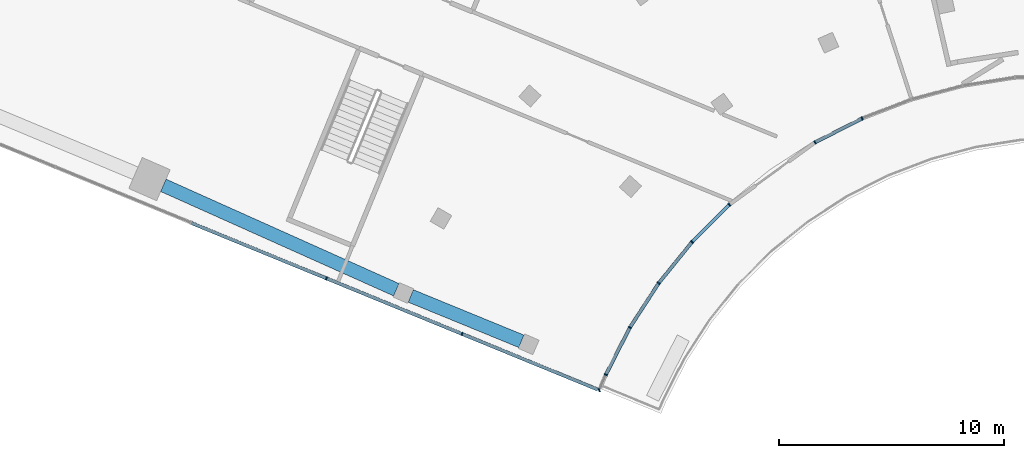
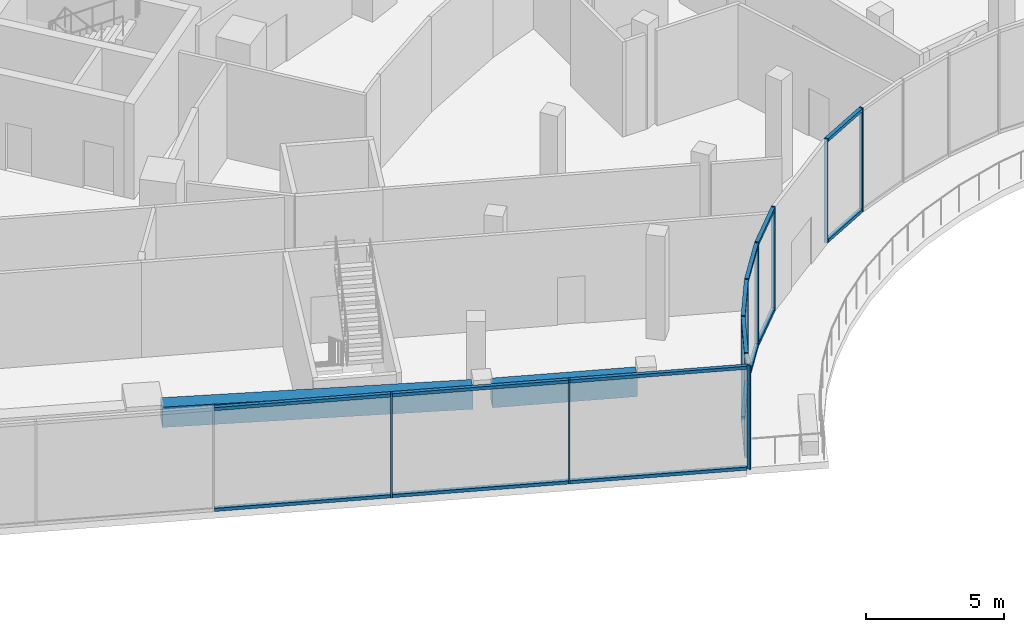
# One storey, part 4 of 40: 26 members, 2 beams, 2 elements without a shape of their own.
"""IFC4 building model written with IfcOpenShell, lengths in metres."""

from ifc_helpers import new_model, si_unit, direction, frame, origin, origin_2d, place, context, subcontext, project, spatial, rectangle, extrude, material, layer, layer_set, material_profile, profile_set, type_object, element, aggregate, save


model = new_model("IFC4")

# Units and contexts
model_context = context("Model", 3, precision=1e-05, world=origin(), true_north=direction((0.0, 1.0)))
body_context = subcontext(model_context, "Body", "Model", "MODEL_VIEW")
ifc_project = project(units=[si_unit("LENGTHUNIT", "METRE"), si_unit("AREAUNIT", "SQUARE_METRE"), si_unit("VOLUMEUNIT", "CUBIC_METRE"), si_unit("PLANEANGLEUNIT", "RADIAN"), si_unit("MASSUNIT", "GRAM", prefix="KILO")], contexts=[model_context])

# Site, building, storey
site_placement = place(None, origin())
site = spatial("IfcSite", under=ifc_project, at=site_placement, CompositionType="ELEMENT")
building_placement = place(site_placement, origin())
building = spatial("IfcBuilding", under=site, at=building_placement, Name="Stone Belt Terrace Tower", CompositionType="ELEMENT")
storey_placement = place(building_placement, frame((0.0, 0.0, 11.60009765625)))
storey = spatial("IfcBuildingStorey", under=building, at=storey_placement, Name="L02", CompositionType="ELEMENT", Elevation=11.60009765625)

# Curtain wall, members
ifc_material_1 = material(Name="Aluminium 6063-T6 anodised frame", Category="aluminium")
ifc_layer = layer(ifc_material_1, 0.14990234375)
ifc_layer_set = layer_set([ifc_layer], Name="CW-D podium shopfront")
curtain_wall_type = type_object("IfcCurtainWallType", Name="CW-D podium shopfront", PredefinedType="NOTDEFINED", material=ifc_layer_set)
curtain_wall_1_placement = place(storey_placement, origin())
curtain_wall_1 = element("IfcCurtainWall", 1, at=curtain_wall_1_placement, inside=storey, type_object=curtain_wall_type, Name="CW-D concave face L02", PredefinedType="NOTDEFINED")
ifc_material_profile_1 = material_profile(ifc_material_1, rectangle(XDim=0.14990234375, YDim=0.06005859375, at=origin_2d()), Name="Aluminium 6063-T6 60x150")
ifc_profile_set_1 = profile_set([ifc_material_profile_1], Name="Aluminium 6063-T6 anodised frame")
member_type_1 = type_object("IfcMemberType", Name="CW-D mullion 60 x 150", PredefinedType="MULLION", material=ifc_profile_set_1)
member_1_placement = place(storey_placement, frame((-20.779296875, 8.435546875, 0.0), z_axis=(0.0, 0.0, 1.0), x_axis=(-0.379212239192, 0.925309719849, 0.0)))
member_1 = element("IfcMember", 2, at=member_1_placement, type_object=member_type_1, Name="CW-D mullion 1", PredefinedType="MULLION", context=body_context, shape_type="SweptSolid", body=[
    extrude(rectangle(XDim=0.14990234375, YDim=0.06005859375, at=origin_2d()), origin(), (0.0, 0.0, 1.0), 4.599853515625),
])
member_2_placement = place(storey_placement, frame((-20.48681640625, 9.119873046875, 0.0), z_axis=(0.0, 0.0, 1.0), x_axis=(-0.905778201442, 0.423752108895, 0.0)))
member_2 = element("IfcMember", 3, at=member_2_placement, type_object=member_type_1, Name="CW-D mullion 2", PredefinedType="MULLION", context=body_context, shape_type="SweptSolid", body=[
    extrude(rectangle(XDim=0.14990234375, YDim=0.06005859375, at=origin_2d()), origin(), (0.0, 0.0, 1.0), 4.599853515625),
])
member_3_placement = place(storey_placement, frame((-19.42041015625, 11.21240234375, 0.0), z_axis=(0.0, 0.0, 1.0), x_axis=(-0.866025403784, 0.5, 0.0)))
member_3 = element("IfcMember", 4, at=member_3_placement, type_object=member_type_1, Name="CW-D mullion 3", PredefinedType="MULLION", context=body_context, shape_type="SweptSolid", body=[
    extrude(rectangle(XDim=0.14990234375, YDim=0.06005859375, at=origin_2d()), origin(), (0.0, 0.0, 1.0), 4.599853515625),
])
member_4_placement = place(storey_placement, frame((-18.14208984375, 13.180908203125, 0.0), z_axis=(0.0, 0.0, 1.0), x_axis=(-0.809016994375, 0.587785252292, 0.0)))
member_4 = element("IfcMember", 5, at=member_4_placement, type_object=member_type_1, Name="CW-D mullion 4", PredefinedType="MULLION", context=body_context, shape_type="SweptSolid", body=[
    extrude(rectangle(XDim=0.14990234375, YDim=0.06005859375, at=origin_2d()), origin(), (0.0, 0.0, 1.0), 4.599853515625),
])
member_5_placement = place(storey_placement, frame((-16.6650390625, 15.005126953125, 0.0), z_axis=(0.0, 0.0, 1.0), x_axis=(-0.743144825477, 0.669130606359, 0.0)))
member_5 = element("IfcMember", 6, at=member_5_placement, type_object=member_type_1, Name="CW-D mullion 5", PredefinedType="MULLION", context=body_context, shape_type="SweptSolid", body=[
    extrude(rectangle(XDim=0.14990234375, YDim=0.06005859375, at=origin_2d()), origin(), (0.0, 0.0, 1.0), 4.599853515625),
])
member_6_placement = place(storey_placement, frame((-15.006591796875, 16.66357421875, 0.0), z_axis=(0.0, 0.0, 1.0), x_axis=(-0.64944804833, 0.7604059656, 0.0)))
member_6 = element("IfcMember", 7, at=member_6_placement, type_object=member_type_1, Name="CW-D mullion 6", PredefinedType="MULLION", context=body_context, shape_type="SweptSolid", body=[
    extrude(rectangle(XDim=0.14990234375, YDim=0.06005859375, at=origin_2d()), origin(), (0.0, 0.0, 1.0), 4.599853515625),
])
member_7_placement = place(storey_placement, frame((-11.210693359375, 19.42138671875, 0.0), z_axis=(0.0, 0.0, 1.0), x_axis=(-0.522498564716, 0.852640164354, 0.0)))
member_7 = element("IfcMember", 8, at=member_7_placement, type_object=member_type_1, Name="CW-D mullion 7", PredefinedType="MULLION", context=body_context, shape_type="SweptSolid", body=[
    extrude(rectangle(XDim=0.14990234375, YDim=0.06005859375, at=origin_2d()), origin(), (0.0, 0.0, 1.0), 4.599853515625),
])
member_8_placement = place(storey_placement, frame((-9.12109375, 20.486083984375, 0.0), z_axis=(0.0, 0.0, 1.0), x_axis=(-0.406736643076, 0.913545457643, 0.0)))
member_8 = element("IfcMember", 9, at=member_8_placement, type_object=member_type_1, Name="CW-D mullion 8", PredefinedType="MULLION", context=body_context, shape_type="SweptSolid", body=[
    extrude(rectangle(XDim=0.14990234375, YDim=0.06005859375, at=origin_2d()), origin(), (0.0, 0.0, 1.0), 4.599853515625),
])

curtain_wall_2_placement = place(storey_placement, origin())
curtain_wall_2 = element("IfcCurtainWall", 10, at=curtain_wall_2_placement, inside=storey, type_object=curtain_wall_type, Name="CW-D end face L02", PredefinedType="NOTDEFINED")
member_9_placement = place(storey_placement, frame((-32.87646484375, 13.393798828125, 0.0), z_axis=(0.0, 0.0, 1.0), x_axis=(0.379243093825, 0.925297074342, 0.0)))
member_9 = element("IfcMember", 11, at=member_9_placement, type_object=member_type_1, Name="CW-D mullion 7", PredefinedType="MULLION", context=body_context, shape_type="SweptSolid", body=[
    extrude(rectangle(XDim=0.14990234375, YDim=0.06005859375, at=origin_2d()), origin(), (0.0, 0.0, 1.0), 4.599853515625),
])
member_10_placement = place(storey_placement, frame((-26.862060546875, 10.9287109375, 0.0), z_axis=(0.0, 0.0, 1.0), x_axis=(0.379243093825, 0.925297074342, 0.0)))
member_10 = element("IfcMember", 12, at=member_10_placement, type_object=member_type_1, Name="CW-D mullion 8", PredefinedType="MULLION", context=body_context, shape_type="SweptSolid", body=[
    extrude(rectangle(XDim=0.14990234375, YDim=0.06005859375, at=origin_2d()), origin(), (0.0, 0.0, 1.0), 4.599853515625),
])

# Member
ifc_material_profile_2 = material_profile(ifc_material_1, rectangle(XDim=0.14990234375, YDim=0.139892578125, at=origin_2d()), Name="Aluminium 6063-T6 150x140")
ifc_profile_set_2 = profile_set([ifc_material_profile_2], Name="Aluminium 6063-T6 anodised frame")
member_type_2 = type_object("IfcMemberType", Name="CW-D transom 140 x 150", PredefinedType="USERDEFINED", material=ifc_profile_set_2)
member_11_placement = place(storey_placement, frame((-20.471923828125, 9.148681640625, 0.06982421875), z_axis=(0.45387610501, 0.891064801965, 0.0), x_axis=(-0.891064801965, 0.45387610501, 0.0)))
member_11 = element("IfcMember", 13, at=member_11_placement, type_object=member_type_2, Name="CW-D transom 2.1", ObjectType="TRANSOM", PredefinedType="USERDEFINED", context=body_context, shape_type="SweptSolid", body=[
    extrude(rectangle(XDim=0.14990234375, YDim=0.139892578125, at=origin_2d()), origin(), (0.0, 0.0, 1.0), 2.2822265625),
])

member_12_placement = place(storey_placement, frame((-20.471923828125, 9.148681640625, 4.52978515625), z_axis=(0.45387610501, 0.891064801965, 0.0), x_axis=(-0.891064801965, 0.45387610501, 0.0)))
member_12 = element("IfcMember", 14, at=member_12_placement, type_object=member_type_2, Name="CW-D transom 2.2", ObjectType="TRANSOM", PredefinedType="USERDEFINED", context=body_context, shape_type="SweptSolid", body=[
    extrude(rectangle(XDim=0.14990234375, YDim=0.139892578125, at=origin_2d()), origin(), (0.0, 0.0, 1.0), 2.2822265625),
])

member_13_placement = place(storey_placement, frame((-19.402099609375, 11.240966796875, 0.06982421875), z_axis=(0.544649472572, 0.838663789624, 0.0), x_axis=(-0.838663789624, 0.544649472572, 0.0)))
member_13 = element("IfcMember", 15, at=member_13_placement, type_object=member_type_2, Name="CW-D transom 3.1", ObjectType="TRANSOM", PredefinedType="USERDEFINED", context=body_context, shape_type="SweptSolid", body=[
    extrude(rectangle(XDim=0.14990234375, YDim=0.139892578125, at=origin_2d()), origin(), (0.0, 0.0, 1.0), 2.279296875),
])

member_14_placement = place(storey_placement, frame((-19.402099609375, 11.240966796875, 4.52978515625), z_axis=(0.544649472572, 0.838663789624, 0.0), x_axis=(-0.838663789624, 0.544649472572, 0.0)))
member_14 = element("IfcMember", 16, at=member_14_placement, type_object=member_type_2, Name="CW-D transom 3.2", ObjectType="TRANSOM", PredefinedType="USERDEFINED", context=body_context, shape_type="SweptSolid", body=[
    extrude(rectangle(XDim=0.14990234375, YDim=0.139892578125, at=origin_2d()), origin(), (0.0, 0.0, 1.0), 2.279296875),
])

member_15_placement = place(storey_placement, frame((-18.120849609375, 13.207275390625, 0.06982421875), z_axis=(0.629333784345, 0.77713511559, 0.0), x_axis=(-0.77713511559, 0.629333784345, 0.0)))
member_15 = element("IfcMember", 17, at=member_15_placement, type_object=member_type_2, Name="CW-D transom 4.1", ObjectType="TRANSOM", PredefinedType="USERDEFINED", context=body_context, shape_type="SweptSolid", body=[
    extrude(rectangle(XDim=0.14990234375, YDim=0.139892578125, at=origin_2d()), origin(), (0.0, 0.0, 1.0), 2.279541015625),
])

member_16_placement = place(storey_placement, frame((-18.120849609375, 13.207275390625, 4.52978515625), z_axis=(0.629333784345, 0.77713511559, 0.0), x_axis=(-0.77713511559, 0.629333784345, 0.0)))
member_16 = element("IfcMember", 18, at=member_16_placement, type_object=member_type_2, Name="CW-D transom 4.2", ObjectType="TRANSOM", PredefinedType="USERDEFINED", context=body_context, shape_type="SweptSolid", body=[
    extrude(rectangle(XDim=0.14990234375, YDim=0.139892578125, at=origin_2d()), origin(), (0.0, 0.0, 1.0), 2.279541015625),
])

member_17_placement = place(storey_placement, frame((-16.640869140625, 15.029052734375, 0.06982421875), z_axis=(0.707053133239, 0.707160425065, 0.0), x_axis=(-0.707160425065, 0.707053133239, 0.0)))
member_17 = element("IfcMember", 19, at=member_17_placement, type_object=member_type_2, Name="CW-D transom 5.1", ObjectType="TRANSOM", PredefinedType="USERDEFINED", context=body_context, shape_type="SweptSolid", body=[
    extrude(rectangle(XDim=0.14990234375, YDim=0.139892578125, at=origin_2d()), origin(), (0.0, 0.0, 1.0), 2.275390625),
])

member_18_placement = place(storey_placement, frame((-16.640869140625, 15.029052734375, 4.52978515625), z_axis=(0.707053133239, 0.707160425065, 0.0), x_axis=(-0.707160425065, 0.707053133239, 0.0)))
member_18 = element("IfcMember", 20, at=member_18_placement, type_object=member_type_2, Name="CW-D transom 5.2", ObjectType="TRANSOM", PredefinedType="USERDEFINED", context=body_context, shape_type="SweptSolid", body=[
    extrude(rectangle(XDim=0.14990234375, YDim=0.139892578125, at=origin_2d()), origin(), (0.0, 0.0, 1.0), 2.275390625),
])

member_19_placement = place(storey_placement, frame((-11.1787109375, 19.437744140625, 0.06982421875), z_axis=(0.891032946635, 0.453938639038, 0.0), x_axis=(-0.453938639038, 0.891032946635, 0.0)))
member_19 = element("IfcMember", 21, at=member_19_placement, type_object=member_type_2, Name="CW-D transom 7.1", ObjectType="TRANSOM", PredefinedType="USERDEFINED", context=body_context, shape_type="SweptSolid", body=[
    extrude(rectangle(XDim=0.14990234375, YDim=0.139892578125, at=origin_2d()), origin(), (0.0, 0.0, 1.0), 2.275634765625),
])

member_20_placement = place(storey_placement, frame((-11.1787109375, 19.437744140625, 4.52978515625), z_axis=(0.891032946635, 0.453938639038, 0.0), x_axis=(-0.453938639038, 0.891032946635, 0.0)))
member_20 = element("IfcMember", 22, at=member_20_placement, type_object=member_type_2, Name="CW-D transom 7.2", ObjectType="TRANSOM", PredefinedType="USERDEFINED", context=body_context, shape_type="SweptSolid", body=[
    extrude(rectangle(XDim=0.14990234375, YDim=0.139892578125, at=origin_2d()), origin(), (0.0, 0.0, 1.0), 2.275634765625),
])

aggregate(curtain_wall_1, [member_1, member_2, member_3, member_4, member_5, member_6, member_7, member_8, member_11, member_12, member_13, member_14, member_15, member_16, member_17, member_18, member_19, member_20])

member_21_placement = place(storey_placement, frame((-38.86328125, 15.847412109375, 0.06982421875), z_axis=(0.925295543226, -0.3792468295, 0.0), x_axis=(0.3792468295, 0.925295543226, 0.0)))
member_21 = element("IfcMember", 23, at=member_21_placement, type_object=member_type_2, Name="CW-D transom 6.1", ObjectType="TRANSOM", PredefinedType="USERDEFINED", context=body_context, shape_type="SweptSolid", body=[
    extrude(rectangle(XDim=0.14990234375, YDim=0.139892578125, at=origin_2d()), origin(), (0.0, 0.0, 1.0), 6.440185546875),
])

member_22_placement = place(storey_placement, frame((-38.86328125, 15.847412109375, 4.52978515625), z_axis=(0.925295543226, -0.3792468295, 0.0), x_axis=(0.3792468295, 0.925295543226, 0.0)))
member_22 = element("IfcMember", 24, at=member_22_placement, type_object=member_type_2, Name="CW-D transom 6.2", ObjectType="TRANSOM", PredefinedType="USERDEFINED", context=body_context, shape_type="SweptSolid", body=[
    extrude(rectangle(XDim=0.14990234375, YDim=0.139892578125, at=origin_2d()), origin(), (0.0, 0.0, 1.0), 6.440185546875),
])

member_23_placement = place(storey_placement, frame((-32.8486328125, 13.38232421875, 0.06982421875), z_axis=(0.925290090483, -0.379260132962, 0.0), x_axis=(0.379260132962, 0.925290090483, 0.0)))
member_23 = element("IfcMember", 25, at=member_23_placement, type_object=member_type_2, Name="CW-D transom 7.1", ObjectType="TRANSOM", PredefinedType="USERDEFINED", context=body_context, shape_type="SweptSolid", body=[
    extrude(rectangle(XDim=0.14990234375, YDim=0.139892578125, at=origin_2d()), origin(), (0.0, 0.0, 1.0), 6.43994140625),
])

member_24_placement = place(storey_placement, frame((-32.8486328125, 13.38232421875, 4.52978515625), z_axis=(0.925290090483, -0.379260132962, 0.0), x_axis=(0.379260132962, 0.925290090483, 0.0)))
member_24 = element("IfcMember", 26, at=member_24_placement, type_object=member_type_2, Name="CW-D transom 7.2", ObjectType="TRANSOM", PredefinedType="USERDEFINED", context=body_context, shape_type="SweptSolid", body=[
    extrude(rectangle(XDim=0.14990234375, YDim=0.139892578125, at=origin_2d()), origin(), (0.0, 0.0, 1.0), 6.43994140625),
])

member_25_placement = place(storey_placement, frame((-26.834228515625, 10.917236328125, 0.06982421875), z_axis=(0.925299711882, -0.379236658554, 0.0), x_axis=(0.379236658554, 0.925299711882, 0.0)))
member_25 = element("IfcMember", 27, at=member_25_placement, type_object=member_type_2, Name="CW-D transom 8.1", ObjectType="TRANSOM", PredefinedType="USERDEFINED", context=body_context, shape_type="SweptSolid", body=[
    extrude(rectangle(XDim=0.14990234375, YDim=0.139892578125, at=origin_2d()), origin(), (0.0, 0.0, 1.0), 6.469970703125),
])

member_26_placement = place(storey_placement, frame((-26.834228515625, 10.917236328125, 4.52978515625), z_axis=(0.925299711882, -0.379236658554, 0.0), x_axis=(0.379236658554, 0.925299711882, 0.0)))
member_26 = element("IfcMember", 28, at=member_26_placement, type_object=member_type_2, Name="CW-D transom 8.2", ObjectType="TRANSOM", PredefinedType="USERDEFINED", context=body_context, shape_type="SweptSolid", body=[
    extrude(rectangle(XDim=0.14990234375, YDim=0.139892578125, at=origin_2d()), origin(), (0.0, 0.0, 1.0), 6.469970703125),
])

aggregate(curtain_wall_2, [member_9, member_10, member_21, member_22, member_23, member_24, member_25, member_26])

# Beams
ifc_material_2 = material(Name="Concrete B60", Category="concrete")
ifc_material_profile_3 = material_profile(ifc_material_2, rectangle(XDim=0.60009765625, YDim=0.89990234375, at=origin_2d()), Name="RC 600x900")
ifc_profile_set_3 = profile_set([ifc_material_profile_3], Name="Concrete B60")
beam_type = type_object("IfcBeamType", Name="Edge beam RC 600x900 B60", PredefinedType="SPANDREL", material=ifc_profile_set_3)
beam_1_placement = place(storey_placement, frame((-24.232421875, 10.601806640625, 3.75), z_axis=(-0.925289242227, 0.379262202466, 0.0), x_axis=(-0.379262202466, -0.925289242227, 0.0)))
element("IfcBeam", 29, at=beam_1_placement, inside=storey, type_object=beam_type, Name="Edge beam L02 A N to O", PredefinedType="SPANDREL", context=body_context, shape_type="SweptSolid", body=[
    extrude(rectangle(XDim=0.60009765625, YDim=0.89990234375, at=origin_2d()), origin(), (0.0, 0.0, 1.0), 5.301025390625),
])
beam_2_placement = place(storey_placement, frame((-29.78076171875, 12.88818359375, 3.75), z_axis=(-0.91252459094, 0.409021846519, 0.0), x_axis=(-0.409021846519, -0.91252459094, 0.0)))
element("IfcBeam", 30, at=beam_2_placement, inside=storey, type_object=beam_type, Name="Edge beam L02 A O to P", PredefinedType="SPANDREL", context=body_context, shape_type="SweptSolid", body=[
    extrude(rectangle(XDim=0.60009765625, YDim=0.89990234375, at=origin_2d()), origin(), (0.0, 0.0, 1.0), 11.320556640625),
])

save(model, "model.ifc")
